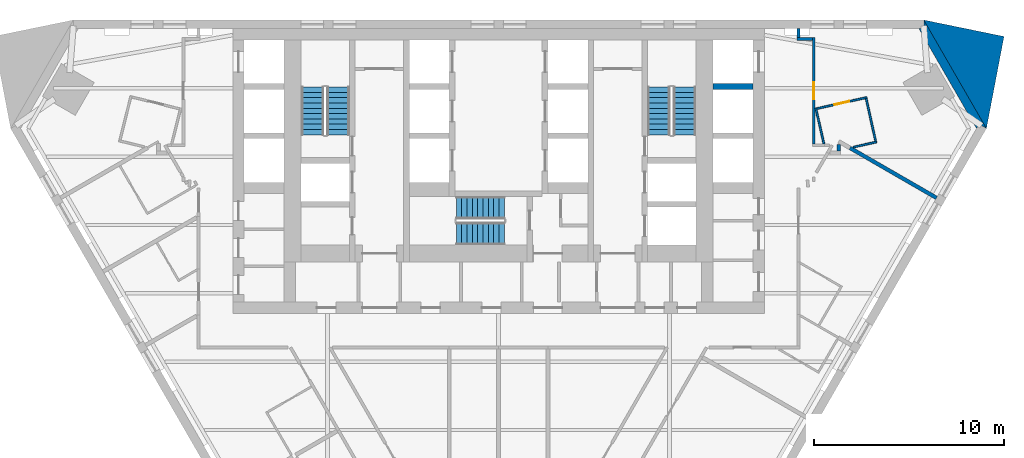
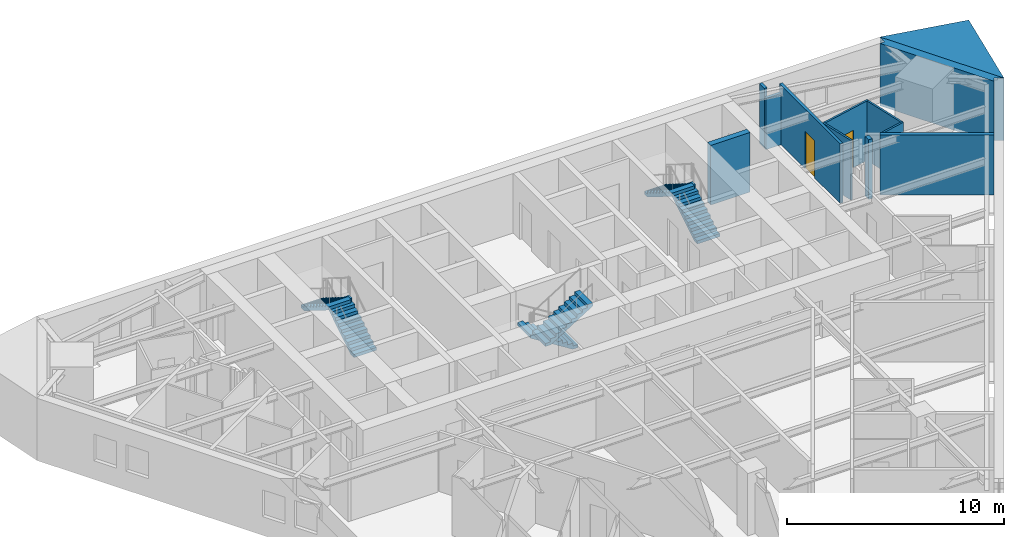
# One storey, part 9 of 10: 12 walls, 6 stair flights, 2 doors, 2 openings, 3 elements without a shape of their own.
"""IFC4 building model written with IfcOpenShell, lengths in metres."""

from ifc_helpers import new_model, si_unit, direction, frame, frame_2d, origin, place, context, subcontext, project, spatial, polyline, rectangle, outline, extrude, material, layer, layer_set, type_object, element, fill, aggregate, save


model = new_model("IFC4")

# Units and contexts
model_context = context("Model", 3, precision=1e-05, world=origin(), true_north=direction((0.0, 1.0)))
body_context = subcontext(model_context, "Body", "Model", "MODEL_VIEW")
ifc_project = project(units=[si_unit("LENGTHUNIT", "METRE"), si_unit("AREAUNIT", "SQUARE_METRE"), si_unit("VOLUMEUNIT", "CUBIC_METRE"), si_unit("PLANEANGLEUNIT", "RADIAN"), si_unit("MASSUNIT", "GRAM", prefix="KILO")], contexts=[model_context])

# Site, building, storey
site_placement = place(None, origin())
site = spatial("IfcSite", under=ifc_project, at=site_placement, CompositionType="ELEMENT")
building_placement = place(site_placement, origin())
building = spatial("IfcBuilding", under=site, at=building_placement, Name="Aloe Facet Convention Tower", CompositionType="ELEMENT")
storey_placement = place(building_placement, frame((0.0, 0.0, 59.5)))
storey = spatial("IfcBuildingStorey", under=building, at=storey_placement, Name="L13", CompositionType="ELEMENT", Elevation=59.5)

# Walls
ifc_material_1 = material(Name="Concrete C80/95", Category="concrete")
ifc_layer_1 = layer(ifc_material_1, 0.300048828125)
ifc_layer_set_1 = layer_set([ifc_layer_1], Name="CR-W-RC300-C8095")
wall_type_1 = type_object("IfcWallType", Name="CR-W-RC300-C8095", PredefinedType="SOLIDWALL", material=ifc_layer_set_1)
wall_1_placement = place(storey_placement, frame((91.300048828125, 131.5, 0.0), z_axis=(0.0, 0.0, 1.0), x_axis=(1.0, 0.0, 0.0)))
element("IfcWall", 1, at=wall_1_placement, inside=storey, type_object=wall_type_1, Name="Core wall L13-049", PredefinedType="SOLIDWALL", context=body_context, shape_type="SweptSolid", body=[
    extrude(rectangle(XDim=2.099853515625, YDim=0.300048828125, at=frame_2d((1.0498046875, 0.0))), origin(), (0.0, 0.0, 1.0), 3.35009765625),
])
ifc_material_2 = material(Name="Precast concrete C40/50", Category="concrete")
ifc_layer_2 = layer(ifc_material_2, 0.449951171875)
ifc_layer_set_2 = layer_set([ifc_layer_2], Name="EV-WALL-PIER")
wall_type_2 = type_object("IfcWallType", Name="EV-WALL-PIER", PredefinedType="SOLIDWALL", material=ifc_layer_set_2)
wall_2_placement = place(storey_placement, frame((0.0, 0.0, -0.14990234375)))
element("IfcWall", 2, at=wall_2_placement, inside=storey, type_object=wall_type_2, Name="EP-L13-C", PredefinedType="SOLIDWALL", context=body_context, shape_type="SweptSolid", body=[
    extrude(outline(polyline([(105.699951171875, 129.2841796875), (105.310302734375, 129.50927734375), (105.180419921875, 129.2841796875), (102.14013671875, 134.550048828125), (102.39990234375, 134.550048828125), (102.39990234375, 135.0), (105.699951171875, 129.2841796875)])), origin(), (0.0, 0.0, 1.0), 3.5),
])
ifc_material_3 = material(Name="Precast concrete C40/50", Category="concrete")
ifc_layer_3 = layer(ifc_material_3, 3.947998046875)
ifc_layer_set_3 = layer_set([ifc_layer_3], Name="EV-WALL-SPINE")
wall_type_3 = type_object("IfcWallType", Name="EV-WALL-SPINE", PredefinedType="SOLIDWALL", material=ifc_layer_set_3)
wall_3_placement = place(storey_placement, frame((0.0, 0.0, -0.14990234375)))
element("IfcWall", 3, at=wall_3_placement, inside=storey, type_object=wall_type_3, Name="SP-NE-L13", PredefinedType="SOLIDWALL", context=body_context, shape_type="SweptSolid", body=[
    extrude(outline(polyline([(105.699951171875, 129.2841796875), (106.625732421875, 134.132080078125), (102.39990234375, 135.0), (105.699951171875, 129.2841796875)])), origin(), (0.0, 0.0, 1.0), 3.5),
])

# Wall, opening, door
ifc_material_4 = material(Name="Gypsum board partition on steel studs", Category="steel")
ifc_layer_4 = layer(ifc_material_4, 0.14990234375)
ifc_layer_set_4 = layer_set([ifc_layer_4], Name="IN-W-CORR")
wall_type_4 = type_object("IfcWallType", Name="IN-W-CORR", PredefinedType="PARTITIONING", material=ifc_layer_set_4)
wall_4_placement = place(storey_placement, frame((96.60009765625, 128.47509765625, 0.0), z_axis=(0.0, 0.0, 1.0), x_axis=(0.0, 1.0, 0.0)))
wall_4 = element("IfcWall", 4, at=wall_4_placement, inside=storey, type_object=wall_type_4, Name="Partition L13-W137", PredefinedType="PARTITIONING", context=body_context, shape_type="SweptSolid", body=[
    extrude(rectangle(XDim=5.599365234375, YDim=0.14990234375, at=frame_2d((2.7998046875, 0.0))), origin(), (0.0, 0.0, 1.0), 3.35009765625),
])
opening_1_placement = place(wall_4_placement, frame((2.349853515625, 0.0, 0.0)))
opening_1 = element("IfcOpeningElement", 5, at=opening_1_placement, cuts=wall_4, Name="Opening L13-001", PredefinedType="OPENING", context=body_context, shape_type="SweptSolid", body=[
    extrude(rectangle(XDim=0.89990234375, YDim=2.10009765625, at=frame_2d((0.449951171875, 1.050048828125))), frame((0.0, 0.0849609375, 0.0), z_axis=(0.0, -1.0, 0.0), x_axis=(1.0, 0.0, 0.0)), (0.0, 0.0, 1.0), 0.169921875),
])
ifc_material_5 = material(Name="Hardwood flush door FD30S", Category="wood")
door_type_1 = type_object("IfcDoorType", Name="IN-D-GUEST", OperationType="SINGLE_SWING_LEFT", PredefinedType="DOOR", material=ifc_material_5)
door_1_placement = place(opening_1_placement, origin())
door_1 = element("IfcDoor", 6, at=door_1_placement, inside=storey, type_object=door_type_1, Name="Door L13-001", OperationType="SINGLE_SWING_LEFT", OverallHeight=2.10009765625, OverallWidth=0.89990234375, PredefinedType="DOOR", context=body_context, shape_type="SweptSolid", body=[
    extrude(rectangle(XDim=0.89990234375, YDim=2.10009765625, at=frame_2d((0.449951171875, 1.050048828125))), frame((0.0, 0.02490234375, 0.0), z_axis=(0.0, -1.0, 0.0), x_axis=(1.0, 0.0, 0.0)), (0.0, 0.0, 1.0), 0.050048828125),
])
fill(opening_1, door_1)

# Walls
wall_5_placement = place(storey_placement, frame((95.72509765625, 134.0, 0.0), z_axis=(0.0, 0.0, 1.0), x_axis=(0.999999813645, -0.000610500497, 0.0)))
element("IfcWall", 7, at=wall_5_placement, inside=storey, type_object=wall_type_4, Name="Partition L13-W140", PredefinedType="PARTITIONING", context=body_context, shape_type="SweptSolid", body=[
    extrude(rectangle(XDim=0.7998046875, YDim=0.14990234375, at=frame_2d((0.39990234375, 0.0))), origin(), (0.0, 0.0, 1.0), 2.88671875),
])
wall_6_placement = place(storey_placement, frame((95.800048828125, 134.074951171875, 0.0), z_axis=(0.0, 0.0, 1.0), x_axis=(0.0, 1.0, 0.0)))
element("IfcWall", 8, at=wall_6_placement, inside=storey, type_object=wall_type_4, Name="Partition L13-W141", PredefinedType="PARTITIONING", context=body_context, shape_type="SweptSolid", body=[
    extrude(rectangle(XDim=0.465087890625, YDim=0.14990234375, at=frame_2d((0.232421875, 0.0))), origin(), (0.0, 0.0, 1.0), 3.35009765625),
])
ifc_material_6 = material(Name="Gypsum board partition on steel studs", Category="steel")
ifc_layer_5 = layer(ifc_material_6, 0.10009765625)
ifc_layer_set_5 = layer_set([ifc_layer_5], Name="IN-W-PART")
wall_type_5 = type_object("IfcWallType", Name="IN-W-PART", PredefinedType="PARTITIONING", material=ifc_layer_set_5)
wall_7_placement = place(storey_placement, frame((96.7080078125, 130.36962890625, 0.0), z_axis=(0.0, 0.0, 1.0), x_axis=(0.222402197424, -0.974955005413, 0.0)))
element("IfcWall", 9, at=wall_7_placement, inside=storey, type_object=wall_type_5, Name="Partition L13-W126", PredefinedType="PARTITIONING", context=body_context, shape_type="SweptSolid", body=[
    extrude(rectangle(XDim=1.9453125, YDim=0.10009765625, at=frame_2d((0.97265625, 0.0))), origin(), (0.0, 0.0, 1.0), 3.35009765625),
])
wall_8_placement = place(storey_placement, frame((98.687255859375, 128.300537109375, 0.0), z_axis=(0.0, 0.0, 1.0), x_axis=(0.976063649291, 0.217485062782, 0.0)))
element("IfcWall", 10, at=wall_8_placement, inside=storey, type_object=wall_type_5, Name="Partition L13-W128", PredefinedType="PARTITIONING", context=body_context, shape_type="SweptSolid", body=[
    extrude(rectangle(XDim=1.25830078125, YDim=0.10009765625, at=frame_2d((0.629150390625, 0.0))), origin(), (0.0, 0.0, 1.0), 3.35009765625),
])

# Wall, opening, door
wall_9_placement = place(storey_placement, frame((96.767822265625, 130.331787109375, 0.0), z_axis=(0.0, 0.0, 1.0), x_axis=(0.976069905732, 0.21745698224, 0.0)))
wall_9 = element("IfcWall", 11, at=wall_9_placement, inside=storey, type_object=wall_type_5, Name="Partition L13-W134", PredefinedType="PARTITIONING", context=body_context, shape_type="SweptSolid", body=[
    extrude(rectangle(XDim=2.7001953125, YDim=0.10009765625, at=frame_2d((1.35009765625, 0.0))), origin(), (0.0, 0.0, 1.0), 3.35009765625),
])
opening_2_placement = place(wall_9_placement, frame((0.949951171875, 0.0, 0.0)))
opening_2 = element("IfcOpeningElement", 12, at=opening_2_placement, cuts=wall_9, Name="Opening L13-018", PredefinedType="OPENING", context=body_context, shape_type="SweptSolid", body=[
    extrude(rectangle(XDim=0.800048828125, YDim=2.10009765625, at=frame_2d((0.39990234375, 1.050048828125))), frame((0.0, 0.06005859375, 0.0), z_axis=(0.0, -1.0, 0.0), x_axis=(1.0, 0.0, 0.0)), (0.0, 0.0, 1.0), 0.1201171875),
])
ifc_material_7 = material(Name="Timber flush door", Category="wood")
door_type_2 = type_object("IfcDoorType", Name="IN-D-BATH", OperationType="SINGLE_SWING_LEFT", PredefinedType="DOOR", material=ifc_material_7)
door_2_placement = place(opening_2_placement, origin())
door_2 = element("IfcDoor", 13, at=door_2_placement, inside=storey, type_object=door_type_2, Name="Door L13-018", OperationType="SINGLE_SWING_LEFT", OverallHeight=2.10009765625, OverallWidth=0.800048828125, PredefinedType="DOOR", context=body_context, shape_type="SweptSolid", body=[
    extrude(rectangle(XDim=0.800048828125, YDim=2.10009765625, at=frame_2d((0.39990234375, 1.050048828125))), frame((0.0, 0.02490234375, 0.0), z_axis=(0.0, -1.0, 0.0), x_axis=(1.0, 0.0, 0.0)), (0.0, 0.0, 1.0), 0.050048828125),
])
fill(opening_2, door_2)

# Walls
wall_10_placement = place(storey_placement, frame((99.365478515625, 130.859130859375, 0.0), z_axis=(0.0, 0.0, 1.0), x_axis=(0.217402503607, -0.97608204134, 0.0)))
element("IfcWall", 14, at=wall_10_placement, inside=storey, type_object=wall_type_5, Name="Partition L13-W135", PredefinedType="PARTITIONING", context=body_context, shape_type="SweptSolid", body=[
    extrude(rectangle(XDim=2.2998046875, YDim=0.10009765625, at=frame_2d((1.14990234375, 0.0))), origin(), (0.0, 0.0, 1.0), 3.35009765625),
])
ifc_material_8 = material(Name="Gypsum board partition on steel studs", Category="steel")
ifc_layer_6 = layer(ifc_material_8, 0.199951171875)
ifc_layer_set_6 = layer_set([ifc_layer_6], Name="IN-W-PARTY")
wall_type_6 = type_object("IfcWallType", Name="IN-W-PARTY", PredefinedType="PARTITIONING", material=ifc_layer_set_6)
wall_11_placement = place(storey_placement, frame((98.51171875, 128.26123046875, 0.0), z_axis=(0.0, 0.0, 1.0), x_axis=(0.866031112038, -0.499990112884, 0.0)))
element("IfcWall", 15, at=wall_11_placement, inside=storey, type_object=wall_type_6, Name="Partition L13-W119", PredefinedType="PARTITIONING", context=body_context, shape_type="SweptSolid", body=[
    extrude(rectangle(XDim=5.263671875, YDim=0.199951171875, at=frame_2d((2.6318359375, 0.0))), origin(), (0.0, 0.0, 1.0), 3.35009765625),
])
wall_12_placement = place(storey_placement, frame((97.920166015625, 128.10009765625, 0.0), z_axis=(0.0, 0.0, 1.0), x_axis=(0.000740740538, 0.999999725652, 0.0)))
element("IfcWall", 16, at=wall_12_placement, inside=storey, type_object=wall_type_6, Name="Partition L13-W129", PredefinedType="PARTITIONING", context=body_context, shape_type="SweptSolid", body=[
    extrude(rectangle(XDim=0.32958984375, YDim=0.199951171875, at=frame_2d((0.164794921875, 0.0))), origin(), (0.0, 0.0, 1.0), 3.35009765625),
])

# Stair, stair flights
ifc_material_9 = material(Name="Concrete C50/60", Category="concrete")
stair_type = type_object("IfcStairType", Name="CR-ST-20R", PredefinedType="HALF_TURN_STAIR", material=ifc_material_9)
stair_1_placement = place(storey_placement, origin())
stair_1 = element("IfcStair", 17, at=stair_1_placement, inside=storey, type_object=stair_type, Name="L13 Protected exit stair ST1", PredefinedType="HALF_TURN_STAIR")
ifc_material_10 = material(Name="Concrete C50/60", Category="concrete")
stair_flight_type = type_object("IfcStairFlightType", Name="CR-SFL-20R", PredefinedType="STRAIGHT", material=ifc_material_10)
stair_flight_1_placement = place(storey_placement, frame((71.550048828125, 128.949951171875, 0.0), z_axis=(0.0, 0.0, 1.0), x_axis=(0.0, 1.0, 0.0)))
stair_flight_1 = element("IfcStairFlight", 18, at=stair_flight_1_placement, type_object=stair_flight_type, Name="ST1 flight 1", NumberOfRisers=10, NumberOfTreads=9, PredefinedType="STRAIGHT", RiserHeight=0.175, TreadLength=0.28, context=body_context, shape_type="SweptSolid", body=[
    extrude(outline(polyline([(0.0, 0.0), (0.0, 0.175048828125), (0.280029296875, 0.175048828125), (0.280029296875, 0.35009765625), (0.56005859375, 0.35009765625), (0.56005859375, 0.52490234375), (0.840087890625, 0.52490234375), (0.840087890625, 0.699951171875), (1.1201171875, 0.699951171875), (1.1201171875, 0.875), (1.39990234375, 0.875), (1.39990234375, 1.050048828125), (1.679931640625, 1.050048828125), (1.679931640625, 1.22509765625), (1.9599609375, 1.22509765625), (1.9599609375, 1.39990234375), (2.239990234375, 1.39990234375), (2.239990234375, 1.574951171875), (2.52001953125, 1.574951171875), (2.52001953125, 1.75), (2.52001953125, 1.398193359375), (0.28271484375, 0.0), (0.0, 0.0)])), frame((0.0, 0.60009765625, 0.0), z_axis=(0.0, -1.0, 0.0), x_axis=(1.0, 0.0, 0.0)), (0.0, 0.0, 1.0), 1.199951171875),
])
stair_flight_2_placement = place(storey_placement, frame((70.199951171875, 131.469970703125, 1.75), z_axis=(0.0, 0.0, 1.0), x_axis=(0.0, -1.0, 0.0)))
stair_flight_2 = element("IfcStairFlight", 19, at=stair_flight_2_placement, type_object=stair_flight_type, Name="ST1 flight 2", NumberOfRisers=10, NumberOfTreads=9, PredefinedType="STRAIGHT", RiserHeight=0.175, TreadLength=0.28, context=body_context, shape_type="SweptSolid", body=[
    extrude(outline(polyline([(0.0, 0.0), (0.0, 0.175048828125), (0.280029296875, 0.175048828125), (0.280029296875, 0.35009765625), (0.56005859375, 0.35009765625), (0.56005859375, 0.52490234375), (0.840087890625, 0.52490234375), (0.840087890625, 0.699951171875), (1.1201171875, 0.699951171875), (1.1201171875, 0.875), (1.39990234375, 0.875), (1.39990234375, 1.050048828125), (1.679931640625, 1.050048828125), (1.679931640625, 1.22509765625), (1.9599609375, 1.22509765625), (1.9599609375, 1.39990234375), (2.239990234375, 1.39990234375), (2.239990234375, 1.574951171875), (2.52001953125, 1.574951171875), (2.52001953125, 1.75), (2.52001953125, 1.398193359375), (0.28271484375, 0.0), (0.0, 0.0)])), frame((0.0, 0.60009765625, 0.0), z_axis=(0.0, -1.0, 0.0), x_axis=(1.0, 0.0, 0.0)), (0.0, 0.0, 1.0), 1.199951171875),
])
aggregate(stair_1, [stair_flight_1, stair_flight_2])

stair_2_placement = place(storey_placement, origin())
stair_2 = element("IfcStair", 20, at=stair_2_placement, inside=storey, type_object=stair_type, Name="L13 Protected exit stair ST2", PredefinedType="HALF_TURN_STAIR")
stair_flight_3_placement = place(storey_placement, frame((89.800048828125, 128.949951171875, 0.0), z_axis=(0.0, 0.0, 1.0), x_axis=(0.0, 1.0, 0.0)))
stair_flight_3 = element("IfcStairFlight", 21, at=stair_flight_3_placement, type_object=stair_flight_type, Name="ST2 flight 1", NumberOfRisers=10, NumberOfTreads=9, PredefinedType="STRAIGHT", RiserHeight=0.175, TreadLength=0.28, context=body_context, shape_type="SweptSolid", body=[
    extrude(outline(polyline([(0.0, 0.0), (0.0, 0.175048828125), (0.280029296875, 0.175048828125), (0.280029296875, 0.35009765625), (0.56005859375, 0.35009765625), (0.56005859375, 0.52490234375), (0.840087890625, 0.52490234375), (0.840087890625, 0.699951171875), (1.1201171875, 0.699951171875), (1.1201171875, 0.875), (1.39990234375, 0.875), (1.39990234375, 1.050048828125), (1.679931640625, 1.050048828125), (1.679931640625, 1.22509765625), (1.9599609375, 1.22509765625), (1.9599609375, 1.39990234375), (2.239990234375, 1.39990234375), (2.239990234375, 1.574951171875), (2.52001953125, 1.574951171875), (2.52001953125, 1.75), (2.52001953125, 1.398193359375), (0.28271484375, 0.0), (0.0, 0.0)])), frame((0.0, 0.60009765625, 0.0), z_axis=(0.0, -1.0, 0.0), x_axis=(1.0, 0.0, 0.0)), (0.0, 0.0, 1.0), 1.199951171875),
])
stair_flight_4_placement = place(storey_placement, frame((88.449951171875, 131.469970703125, 1.75), z_axis=(0.0, 0.0, 1.0), x_axis=(0.0, -1.0, 0.0)))
stair_flight_4 = element("IfcStairFlight", 22, at=stair_flight_4_placement, type_object=stair_flight_type, Name="ST2 flight 2", NumberOfRisers=10, NumberOfTreads=9, PredefinedType="STRAIGHT", RiserHeight=0.175, TreadLength=0.28, context=body_context, shape_type="SweptSolid", body=[
    extrude(outline(polyline([(0.0, 0.0), (0.0, 0.175048828125), (0.280029296875, 0.175048828125), (0.280029296875, 0.35009765625), (0.56005859375, 0.35009765625), (0.56005859375, 0.52490234375), (0.840087890625, 0.52490234375), (0.840087890625, 0.699951171875), (1.1201171875, 0.699951171875), (1.1201171875, 0.875), (1.39990234375, 0.875), (1.39990234375, 1.050048828125), (1.679931640625, 1.050048828125), (1.679931640625, 1.22509765625), (1.9599609375, 1.22509765625), (1.9599609375, 1.39990234375), (2.239990234375, 1.39990234375), (2.239990234375, 1.574951171875), (2.52001953125, 1.574951171875), (2.52001953125, 1.75), (2.52001953125, 1.398193359375), (0.28271484375, 0.0), (0.0, 0.0)])), frame((0.0, 0.60009765625, 0.0), z_axis=(0.0, -1.0, 0.0), x_axis=(1.0, 0.0, 0.0)), (0.0, 0.0, 1.0), 1.199951171875),
])
aggregate(stair_2, [stair_flight_3, stair_flight_4])

stair_3_placement = place(storey_placement, origin())
stair_3 = element("IfcStair", 23, at=stair_3_placement, inside=storey, type_object=stair_type, Name="L13 Protected exit stair ST3", PredefinedType="HALF_TURN_STAIR")
stair_flight_5_placement = place(storey_placement, frame((80.300048828125, 125.10009765625, 0.0), z_axis=(0.0, 0.0, 1.0), x_axis=(-1.0, 0.0, 0.0)))
stair_flight_5 = element("IfcStairFlight", 24, at=stair_flight_5_placement, type_object=stair_flight_type, Name="ST3 flight 1", NumberOfRisers=10, NumberOfTreads=9, PredefinedType="STRAIGHT", RiserHeight=0.175, TreadLength=0.28, context=body_context, shape_type="SweptSolid", body=[
    extrude(outline(polyline([(0.0, 0.0), (0.0, 0.175048828125), (0.280029296875, 0.175048828125), (0.280029296875, 0.35009765625), (0.56005859375, 0.35009765625), (0.56005859375, 0.52490234375), (0.840087890625, 0.52490234375), (0.840087890625, 0.699951171875), (1.1201171875, 0.699951171875), (1.1201171875, 0.875), (1.39990234375, 0.875), (1.39990234375, 1.050048828125), (1.679931640625, 1.050048828125), (1.679931640625, 1.22509765625), (1.9599609375, 1.22509765625), (1.9599609375, 1.39990234375), (2.239990234375, 1.39990234375), (2.239990234375, 1.574951171875), (2.52001953125, 1.574951171875), (2.52001953125, 1.75), (2.52001953125, 1.398193359375), (0.28271484375, 0.0), (0.0, 0.0)])), frame((0.0, 0.60009765625, 0.0), z_axis=(0.0, -1.0, 0.0), x_axis=(1.0, 0.0, 0.0)), (0.0, 0.0, 1.0), 1.199951171875),
])
stair_flight_6_placement = place(storey_placement, frame((77.780029296875, 123.75, 1.75), z_axis=(0.0, 0.0, 1.0), x_axis=(1.0, 0.0, 0.0)))
stair_flight_6 = element("IfcStairFlight", 25, at=stair_flight_6_placement, type_object=stair_flight_type, Name="ST3 flight 2", NumberOfRisers=10, NumberOfTreads=9, PredefinedType="STRAIGHT", RiserHeight=0.175, TreadLength=0.28, context=body_context, shape_type="SweptSolid", body=[
    extrude(outline(polyline([(0.0, 0.0), (0.0, 0.175048828125), (0.280029296875, 0.175048828125), (0.280029296875, 0.35009765625), (0.56005859375, 0.35009765625), (0.56005859375, 0.52490234375), (0.840087890625, 0.52490234375), (0.840087890625, 0.699951171875), (1.1201171875, 0.699951171875), (1.1201171875, 0.875), (1.39990234375, 0.875), (1.39990234375, 1.050048828125), (1.679931640625, 1.050048828125), (1.679931640625, 1.22509765625), (1.9599609375, 1.22509765625), (1.9599609375, 1.39990234375), (2.239990234375, 1.39990234375), (2.239990234375, 1.574951171875), (2.52001953125, 1.574951171875), (2.52001953125, 1.75), (2.52001953125, 1.398193359375), (0.28271484375, 0.0), (0.0, 0.0)])), frame((0.0, 0.60009765625, 0.0), z_axis=(0.0, -1.0, 0.0), x_axis=(1.0, 0.0, 0.0)), (0.0, 0.0, 1.0), 1.199951171875),
])
aggregate(stair_3, [stair_flight_5, stair_flight_6])

save(model, "model.ifc")
